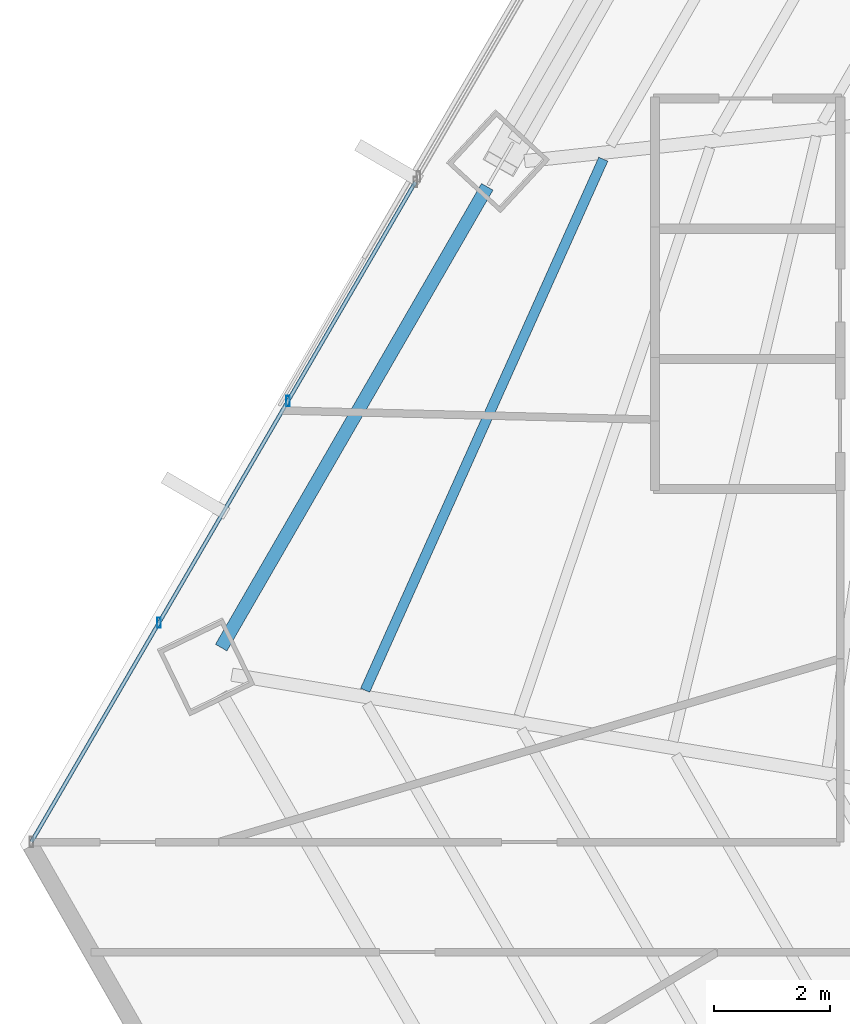
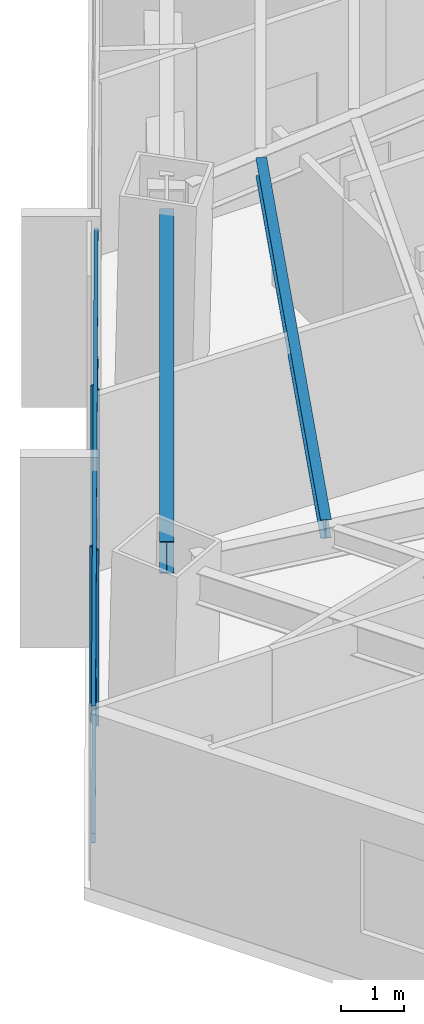
# One storey, part 11 of 36: 4 members, 2 beams, 1 element without a shape of its own.
"""IFC4 building model written with IfcOpenShell, lengths in metres."""

from ifc_helpers import new_model, si_unit, direction, frame, origin, origin_2d, place, context, subcontext, project, spatial, hollow_rectangle, i_section, extrude, source, transform, mapped, material, material_profile, profile_set, type_object, type_shapes, element, aggregate, save


model = new_model("IFC4")

# Units and contexts
model_context = context("Model", 3, precision=1e-05, world=origin(), true_north=direction((0.0, 1.0)))
body_context = subcontext(model_context, "Body", "Model", "MODEL_VIEW")
ifc_project = project(units=[si_unit("LENGTHUNIT", "METRE"), si_unit("AREAUNIT", "SQUARE_METRE"), si_unit("VOLUMEUNIT", "CUBIC_METRE"), si_unit("PLANEANGLEUNIT", "RADIAN"), si_unit("MASSUNIT", "GRAM", prefix="KILO")], contexts=[model_context])

# Site, building, storey
site_placement = place(None, origin())
site = spatial("IfcSite", under=ifc_project, at=site_placement, CompositionType="ELEMENT")
building_placement = place(site_placement, origin())
building = spatial("IfcBuilding", under=site, at=building_placement, Name="Caelisora Broadcast Tower", CompositionType="ELEMENT")
storey_placement = place(building_placement, frame((0.0, 0.0, 64.10009765625)))
storey = spatial("IfcBuildingStorey", under=building, at=storey_placement, Name="L16", CompositionType="ELEMENT", Elevation=64.10009765625)

# Beams
ifc_material_1 = material(Name="Steel Grade 350 (AS/NZS 3679.1)", Category="steel")
ifc_material_profile_1 = material_profile(ifc_material_1, i_section(OverallWidth=0.22900390625, OverallDepth=0.611572265625, WebThickness=0.011962890625, FlangeThickness=0.01953125, at=origin_2d()), Name="Steel Grade 350 (AS/NZS 3679.1)")
ifc_profile_set_1 = profile_set([ifc_material_profile_1], Name="Steel Grade 350 (AS/NZS 3679.1)")
beam_type_1 = type_object("IfcBeamType", Name="PG03", PredefinedType="BEAM", material=ifc_profile_set_1)
shared_shape_1 = source(origin(), body_context, "Body", "SweptSolid", [
    extrude(i_section(OverallWidth=0.22900390625, OverallDepth=0.611572265625, WebThickness=0.011962890625, FlangeThickness=0.01953125, at=origin_2d()), origin(), (0.0, 0.0, 1.0), 9.1953125),
])
type_shapes(beam_type_1, [shared_shape_1])
beam_1_placement = place(storey_placement, frame((19.30224609375, 28.423828125, 3.093994140625), z_axis=(-0.499999779356, -0.866025531173, 0.0), x_axis=(0.866025531173, -0.499999779356, 0.0)))
element("IfcBeam", 1, at=beam_1_placement, inside=storey, type_object=beam_type_1, Name="L16 beam PG03", PredefinedType="BEAM", context=body_context, shape_type="MappedRepresentation", body=[
    mapped(shared_shape_1, transform((0.0, 0.0, 0.0), scale=1.0)),
])
ifc_material_profile_2 = material_profile(ifc_material_1, i_section(OverallWidth=0.172119140625, OverallDepth=0.358642578125, WebThickness=0.008056640625, FlangeThickness=0.012939453125, at=origin_2d()), Name="Steel Grade 350 (AS/NZS 3679.1)")
ifc_profile_set_2 = profile_set([ifc_material_profile_2], Name="Steel Grade 350 (AS/NZS 3679.1)")
beam_type_2 = type_object("IfcBeamType", Name="SB02", PredefinedType="JOIST", material=ifc_profile_set_2)
shared_shape_2 = source(origin(), body_context, "Body", "SweptSolid", [
    extrude(i_section(OverallWidth=0.172119140625, OverallDepth=0.358642578125, WebThickness=0.008056640625, FlangeThickness=0.012939453125, at=origin_2d()), origin(), (0.0, 0.0, 1.0), 10.057861328125),
])
type_shapes(beam_type_2, [shared_shape_2])
beam_2_placement = place(storey_placement, frame((21.307373046875, 28.90087890625, 3.220703125), z_axis=(-0.409133963113, -0.912474328531, 0.0), x_axis=(0.912474328531, -0.409133963113, 0.0)))
element("IfcBeam", 2, at=beam_2_placement, inside=storey, type_object=beam_type_2, Name="L16 beam SB02", PredefinedType="JOIST", context=body_context, shape_type="MappedRepresentation", body=[
    mapped(shared_shape_2, transform((0.0, 0.0, 0.0), scale=1.0)),
])

# Curtain wall, members
ifc_material_2 = material(Name="Unitised Aluminium and Low-E Glass Curtain Wall", Category="glass")
curtain_wall_type = type_object("IfcCurtainWallType", Name="CW-Z1", PredefinedType="NOTDEFINED", material=ifc_material_2)
curtain_wall_placement = place(storey_placement, origin())
curtain_wall = element("IfcCurtainWall", 3, at=curtain_wall_placement, inside=storey, type_object=curtain_wall_type, Name="L16 curtain wall CW-Z1", PredefinedType="NOTDEFINED")
ifc_material_3 = material(Name="Aluminium 6063-T6 Anodised Terracotta Bronze", Category="aluminium")
ifc_material_profile_3 = material_profile(ifc_material_3, hollow_rectangle(XDim=0.06494140625, YDim=0.179931640625, WallThickness=0.00341796875, at=origin_2d()), Name="Aluminium 6063-T6 Anodised Terracotta Bronze")
ifc_profile_set_3 = profile_set([ifc_material_profile_3], Name="Aluminium 6063-T6 Anodised Terracotta Bronze")
member_type_1 = type_object("IfcMemberType", Name="CWM-02", PredefinedType="MULLION", material=ifc_profile_set_3)
shared_shape_3 = source(origin(), body_context, "Body", "SweptSolid", [
    extrude(hollow_rectangle(XDim=0.06494140625, YDim=0.179931640625, WallThickness=0.00341796875, at=origin_2d()), origin(), (0.0, 0.0, 1.0), 3.39990234375),
])
type_shapes(member_type_1, [shared_shape_3])
member_1_placement = place(storey_placement, frame((13.629150390625, 20.8896484375, 0.0), z_axis=(0.0, 0.0, 1.0), x_axis=(1.0, 0.0, 0.0)))
member_1 = element("IfcMember", 4, at=member_1_placement, type_object=member_type_1, Name="L16-CW-B09 mullion #1", PredefinedType="MULLION", context=body_context, shape_type="MappedRepresentation", body=[
    mapped(shared_shape_3, transform((0.0, 0.0, 0.0), scale=1.0)),
])
member_2_placement = place(storey_placement, frame((15.857421875, 24.71923828125, 0.0), z_axis=(0.0, 0.0, 1.0), x_axis=(1.0, 0.0, 0.0)))
member_2 = element("IfcMember", 5, at=member_2_placement, type_object=member_type_1, Name="L16-CW-B09 mullion #2", PredefinedType="MULLION", context=body_context, shape_type="MappedRepresentation", body=[
    mapped(shared_shape_3, transform((0.0, 0.0, 0.0), scale=1.0)),
])
ifc_material_profile_4 = material_profile(ifc_material_3, hollow_rectangle(XDim=0.06494140625, YDim=0.179931640625, WallThickness=0.00341796875, at=origin_2d()), Name="Aluminium 6063-T6 Anodised Terracotta Bronze")
ifc_profile_set_4 = profile_set([ifc_material_profile_4], Name="Aluminium 6063-T6 Anodised Terracotta Bronze")
member_type_2 = type_object("IfcMemberType", Name="CWT-01", PredefinedType="USERDEFINED", material=ifc_profile_set_4)
shared_shape_4 = source(origin(), body_context, "Body", "SweptSolid", [
    extrude(hollow_rectangle(XDim=0.06494140625, YDim=0.179931640625, WallThickness=0.00341796875, at=origin_2d()), origin(), (0.0, 0.0, 1.0), 13.19189453125),
])
type_shapes(member_type_2, [shared_shape_4])
member_3_placement = place(storey_placement, frame((11.426025390625, 17.103271484375, 0.849853515625), z_axis=(0.502904136611, 0.864342194608, 0.0), x_axis=(-0.864342194608, 0.502904136611, 0.0)))
member_3 = element("IfcMember", 6, at=member_3_placement, type_object=member_type_2, Name="L16-CW-B09 transom #1", ObjectType="TRANSOM", PredefinedType="USERDEFINED", context=body_context, shape_type="MappedRepresentation", body=[
    mapped(shared_shape_4, transform((0.0, 0.0, 0.0), scale=1.0)),
])
member_4_placement = place(storey_placement, frame((11.426025390625, 17.103271484375, 3.31982421875), z_axis=(0.502904136611, 0.864342194608, 0.0), x_axis=(-0.864342194608, 0.502904136611, 0.0)))
member_4 = element("IfcMember", 7, at=member_4_placement, type_object=member_type_2, Name="L16-CW-B09 transom #2", ObjectType="TRANSOM", PredefinedType="USERDEFINED", context=body_context, shape_type="MappedRepresentation", body=[
    mapped(shared_shape_4, transform((0.0, 0.0, 0.0), scale=1.0)),
])
aggregate(curtain_wall, [member_1, member_2, member_3, member_4])

save(model, "model.ifc")
